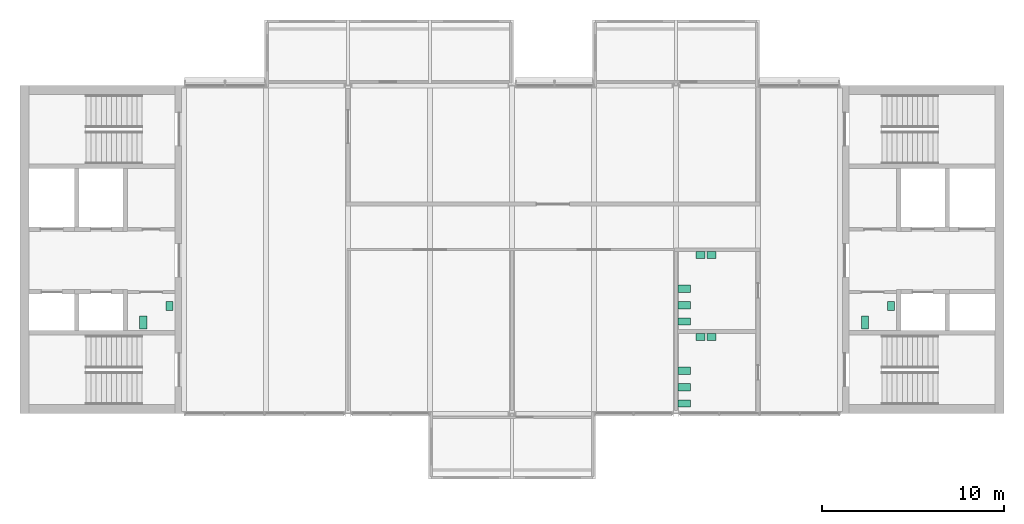
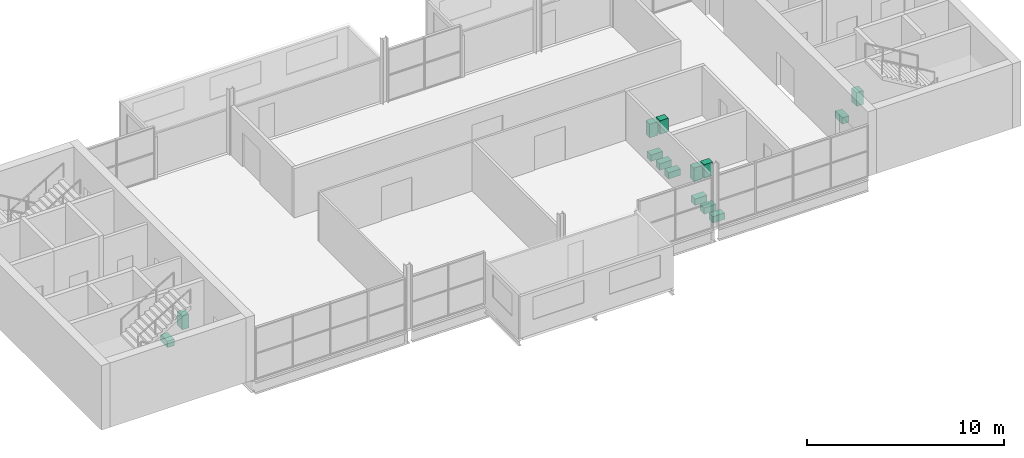
# One storey, part 10 of 10: 14 sanitary terminals.
"""IFC4 building model written with IfcOpenShell, lengths in metres."""

from ifc_helpers import new_model, si_unit, direction, frame, origin, origin_2d, place, context, subcontext, project, spatial, rectangle, extrude, element, save


model = new_model("IFC4")

# Units and contexts
model_context = context("Model", 3, precision=1e-05, world=origin(), true_north=direction((0.0, 1.0)))
body_context = subcontext(model_context, "Body", "Model", "MODEL_VIEW")
ifc_project = project(units=[si_unit("LENGTHUNIT", "METRE"), si_unit("AREAUNIT", "SQUARE_METRE"), si_unit("VOLUMEUNIT", "CUBIC_METRE"), si_unit("PLANEANGLEUNIT", "RADIAN"), si_unit("MASSUNIT", "GRAM", prefix="KILO")], contexts=[model_context])

# Site, building, storey
site_placement = place(None, origin())
site = spatial("IfcSite", under=ifc_project, at=site_placement, CompositionType="ELEMENT")
building_placement = place(site_placement, origin())
building = spatial("IfcBuilding", under=site, at=building_placement, Name="Corbel Yard City Hall", CompositionType="ELEMENT")
storey_placement = place(building_placement, frame((0.0, 0.0, 51.199951171875)))
storey = spatial("IfcBuildingStorey", under=building, at=storey_placement, Name="L12", CompositionType="ELEMENT", Elevation=51.199951171875)

# Sanitary terminals
sanitary_terminal_1_placement = place(storey_placement, frame((46.36669921875, 104.0, 0.0), z_axis=(0.0, 0.0, 1.0), x_axis=(1.0, 0.0, 0.0)))
element("IfcSanitaryTerminal", 1, at=sanitary_terminal_1_placement, inside=storey, Name="Water closet", PredefinedType="TOILETPAN", context=body_context, shape_type="SweptSolid", body=[
    extrude(rectangle(XDim=0.39990234375, YDim=0.699951171875, at=origin_2d()), origin(), (0.0, 0.0, 1.0), 0.39990234375),
])
sanitary_terminal_2_placement = place(storey_placement, frame((47.800048828125, 104.89990234375, 0.0), z_axis=(0.0, 0.0, 1.0), x_axis=(1.0, 0.0, 0.0)))
element("IfcSanitaryTerminal", 2, at=sanitary_terminal_2_placement, inside=storey, Name="Wash basin", PredefinedType="WASHHANDBASIN", context=body_context, shape_type="SweptSolid", body=[
    extrude(rectangle(XDim=0.39990234375, YDim=0.5, at=origin_2d()), origin(), (0.0, 0.0, 1.0), 0.85009765625),
])
sanitary_terminal_3_placement = place(storey_placement, frame((6.7666015625, 104.0, 0.0), z_axis=(0.0, 0.0, 1.0), x_axis=(1.0, 0.0, 0.0)))
element("IfcSanitaryTerminal", 3, at=sanitary_terminal_3_placement, inside=storey, Name="Water closet", PredefinedType="TOILETPAN", context=body_context, shape_type="SweptSolid", body=[
    extrude(rectangle(XDim=0.39990234375, YDim=0.699951171875, at=origin_2d()), origin(), (0.0, 0.0, 1.0), 0.39990234375),
])
sanitary_terminal_4_placement = place(storey_placement, frame((8.199951171875, 104.89990234375, 0.0), z_axis=(0.0, 0.0, 1.0), x_axis=(1.0, 0.0, 0.0)))
element("IfcSanitaryTerminal", 4, at=sanitary_terminal_4_placement, inside=storey, Name="Wash basin", PredefinedType="WASHHANDBASIN", context=body_context, shape_type="SweptSolid", body=[
    extrude(rectangle(XDim=0.39990234375, YDim=0.5, at=origin_2d()), origin(), (0.0, 0.0, 1.0), 0.85009765625),
])
for number, where, z_axis, x_axis, name in (
    (5, (36.449951171875, 99.550048828125, 0.0), (0.0, 0.0, 1.0), (1.0, 0.0, 0.0), "Water closet"),
    (6, (36.449951171875, 100.449951171875, 0.0), (0.0, 0.0, 1.0), (1.0, 0.0, 0.0), "Water closet"),
    (7, (36.449951171875, 101.35009765625, 0.0), (0.0, 0.0, 1.0), (1.0, 0.0, 0.0), "Water closet"),
):
    element("IfcSanitaryTerminal", number, at=place(storey_placement, frame(where, z_axis=z_axis, x_axis=x_axis)), inside=storey, Name=name, PredefinedType="TOILETPAN", context=body_context, shape_type="SweptSolid", body=[
        extrude(rectangle(XDim=0.699951171875, YDim=0.39990234375, at=origin_2d()), origin(), (0.0, 0.0, 1.0), 0.39990234375),
    ])
for number, where, z_axis, x_axis, name in (
    (8, (37.35009765625, 103.199951171875, 0.0), (0.0, 0.0, 1.0), (1.0, 0.0, 0.0), "Wash basin"),
    (9, (37.949951171875, 103.199951171875, 0.0), (0.0, 0.0, 1.0), (1.0, 0.0, 0.0), "Wash basin"),
):
    element("IfcSanitaryTerminal", number, at=place(storey_placement, frame(where, z_axis=z_axis, x_axis=x_axis)), inside=storey, Name=name, PredefinedType="WASHHANDBASIN", context=body_context, shape_type="SweptSolid", body=[
        extrude(rectangle(XDim=0.5, YDim=0.39990234375, at=origin_2d()), origin(), (0.0, 0.0, 1.0), 0.85009765625),
    ])
for number, where, z_axis, x_axis, name in (
    (10, (36.449951171875, 104.050048828125, 0.0), (0.0, 0.0, 1.0), (1.0, 0.0, 0.0), "Water closet"),
    (11, (36.449951171875, 104.949951171875, 0.0), (0.0, 0.0, 1.0), (1.0, 0.0, 0.0), "Water closet"),
    (12, (36.449951171875, 105.85009765625, 0.0), (0.0, 0.0, 1.0), (1.0, 0.0, 0.0), "Water closet"),
):
    element("IfcSanitaryTerminal", number, at=place(storey_placement, frame(where, z_axis=z_axis, x_axis=x_axis)), inside=storey, Name=name, PredefinedType="TOILETPAN", context=body_context, shape_type="SweptSolid", body=[
        extrude(rectangle(XDim=0.699951171875, YDim=0.39990234375, at=origin_2d()), origin(), (0.0, 0.0, 1.0), 0.39990234375),
    ])
for number, where, z_axis, x_axis, name in (
    (13, (37.35009765625, 107.699951171875, 0.0), (0.0, 0.0, 1.0), (1.0, 0.0, 0.0), "Wash basin"),
    (14, (37.949951171875, 107.699951171875, 0.0), (0.0, 0.0, 1.0), (1.0, 0.0, 0.0), "Wash basin"),
):
    element("IfcSanitaryTerminal", number, at=place(storey_placement, frame(where, z_axis=z_axis, x_axis=x_axis)), inside=storey, Name=name, PredefinedType="WASHHANDBASIN", context=body_context, shape_type="SweptSolid", body=[
        extrude(rectangle(XDim=0.5, YDim=0.39990234375, at=origin_2d()), origin(), (0.0, 0.0, 1.0), 0.85009765625),
    ])

save(model, "model.ifc")
